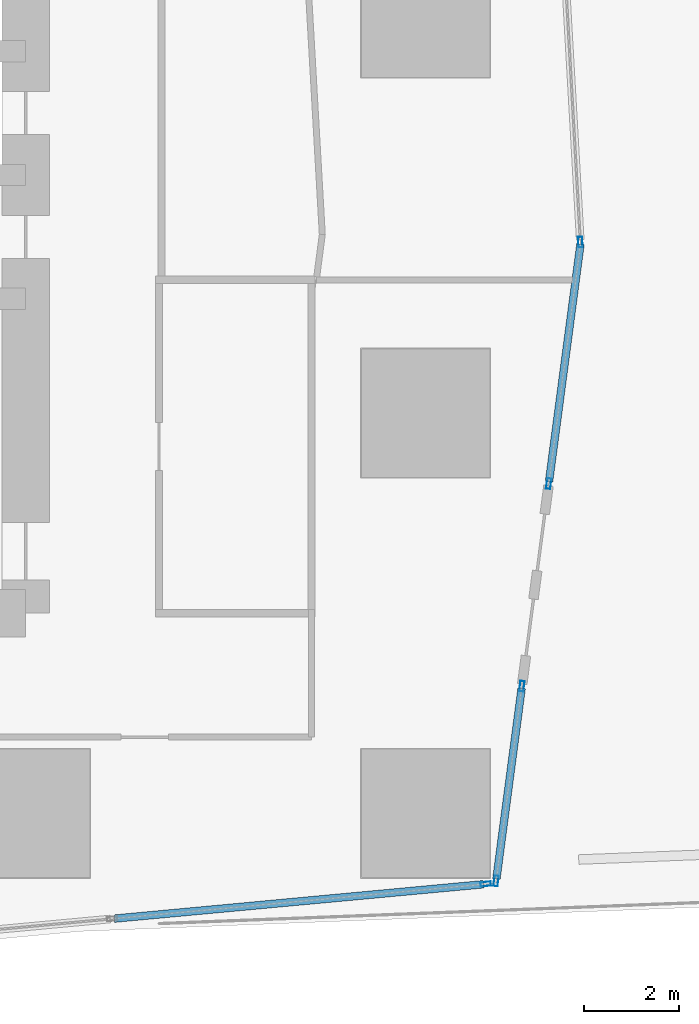
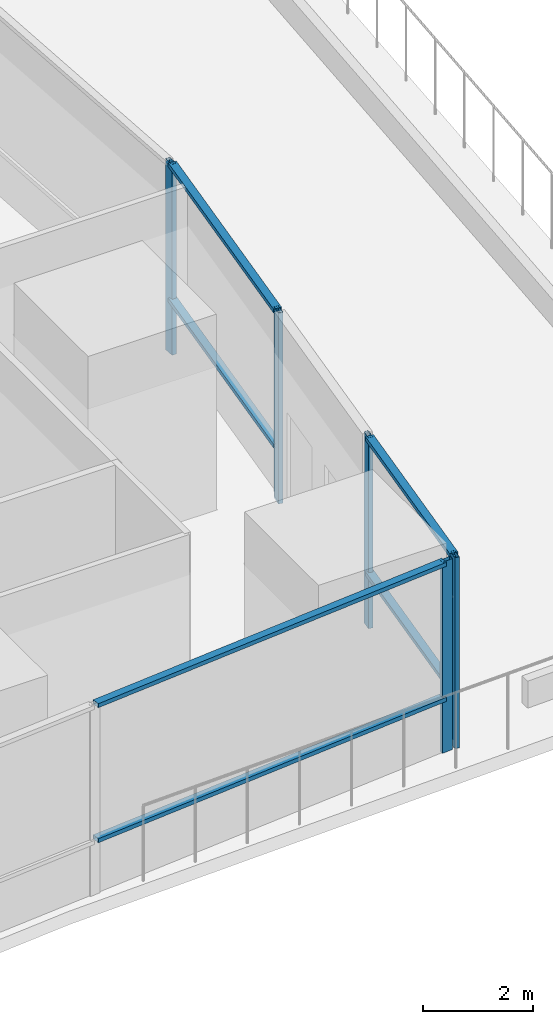
# One storey, part 6 of 39: 11 members, 4 elements without a shape of their own.
"""IFC4 building model written with IfcOpenShell, lengths in metres."""

from ifc_helpers import new_model, si_unit, direction, frame, origin, origin_2d, place, context, subcontext, project, spatial, hollow_rectangle, extrude, material, material_profile, profile_set, type_object, element, aggregate, save


model = new_model("IFC4")

# Units and contexts
model_context = context("Model", 3, precision=1e-05, world=origin(), true_north=direction((0.0, 1.0)))
body_context = subcontext(model_context, "Body", "Model", "MODEL_VIEW")
ifc_project = project(units=[si_unit("LENGTHUNIT", "METRE"), si_unit("AREAUNIT", "SQUARE_METRE"), si_unit("VOLUMEUNIT", "CUBIC_METRE"), si_unit("PLANEANGLEUNIT", "RADIAN"), si_unit("MASSUNIT", "GRAM", prefix="KILO")], contexts=[model_context])

# Site, building, storey
site_placement = place(None, origin())
site = spatial("IfcSite", under=ifc_project, at=site_placement, CompositionType="ELEMENT")
building_placement = place(site_placement, origin())
building = spatial("IfcBuilding", under=site, at=building_placement, Name="Rekha Terrace Tower", CompositionType="ELEMENT")
storey_placement = place(building_placement, frame((0.0, 0.0, 168.199951171875)))
storey = spatial("IfcBuildingStorey", under=building, at=storey_placement, Name="L42", CompositionType="ELEMENT", Elevation=168.199951171875)

# Curtain wall, member
ifc_material_1 = material(Name="Aluminium framing", Category="aluminium")
curtain_wall_type = type_object("IfcCurtainWallType", Name="CW5 sky garden glazing", PredefinedType="USERDEFINED", material=ifc_material_1)
curtain_wall_1_placement = place(storey_placement, origin())
curtain_wall_1 = element("IfcCurtainWall", 1, at=curtain_wall_1_placement, inside=storey, type_object=curtain_wall_type, Name="CW5 sky garden curtain wall", ObjectType="SKY GARDEN CURTAIN WALL", PredefinedType="USERDEFINED")
ifc_material_2 = material(Name="Aluminium mullion section", Category="aluminium")
ifc_material_profile_1 = material_profile(ifc_material_2, hollow_rectangle(XDim=0.090087890625, YDim=0.219970703125, WallThickness=0.00390625, at=origin_2d()), Name="AL RHS 90x220")
ifc_profile_set_1 = profile_set([ifc_material_profile_1], Name="Aluminium mullion section")
member_type_1 = type_object("IfcMemberType", Name="CW5 mullion RHS 90 x 220", PredefinedType="MULLION", material=ifc_profile_set_1)
member_1_placement = place(storey_placement, frame((60.059814453125, 15.314453125, 0.0), z_axis=(0.0, 0.0, 1.0), x_axis=(-0.092708869546, 0.995693258744, 0.0)))
member_1 = element("IfcMember", 2, at=member_1_placement, type_object=member_type_1, Name="CW5 mullion 3", PredefinedType="MULLION", context=body_context, shape_type="SweptSolid", body=[
    extrude(hollow_rectangle(XDim=0.090087890625, YDim=0.219970703125, WallThickness=0.00390625, at=origin_2d()), origin(), (0.0, 0.0, 1.0), 4.25),
])

# Curtain wall, members
curtain_wall_2_placement = place(storey_placement, origin())
curtain_wall_2 = element("IfcCurtainWall", 3, at=curtain_wall_2_placement, inside=storey, type_object=curtain_wall_type, Name="CW5 sky garden curtain wall", ObjectType="SKY GARDEN CURTAIN WALL", PredefinedType="USERDEFINED")
member_2_placement = place(storey_placement, frame((60.278564453125, 15.37890625, 0.0), z_axis=(0.0, 0.0, 1.0), x_axis=(-0.991342203198, 0.131303602989, 0.0)))
member_2 = element("IfcMember", 4, at=member_2_placement, type_object=member_type_1, Name="CW5 mullion 1", PredefinedType="MULLION", context=body_context, shape_type="SweptSolid", body=[
    extrude(hollow_rectangle(XDim=0.090087890625, YDim=0.219970703125, WallThickness=0.00390625, at=origin_2d()), origin(), (0.0, 0.0, 1.0), 4.25),
])
member_3_placement = place(storey_placement, frame((60.8203125, 19.468505859375, 0.0), z_axis=(0.0, 0.0, 1.0), x_axis=(-0.991342203198, 0.131303602989, 0.0)))
member_3 = element("IfcMember", 5, at=member_3_placement, type_object=member_type_1, Name="CW5 mullion 2", PredefinedType="MULLION", context=body_context, shape_type="SweptSolid", body=[
    extrude(hollow_rectangle(XDim=0.090087890625, YDim=0.219970703125, WallThickness=0.00390625, at=origin_2d()), origin(), (0.0, 0.0, 1.0), 4.25),
])

# Curtain wall, member
curtain_wall_3_placement = place(storey_placement, origin())
curtain_wall_3 = element("IfcCurtainWall", 6, at=curtain_wall_3_placement, inside=storey, type_object=curtain_wall_type, Name="CW5 sky garden curtain wall", ObjectType="SKY GARDEN CURTAIN WALL", PredefinedType="USERDEFINED")
member_4_placement = place(storey_placement, frame((61.383544921875, 23.72119140625, 0.0), z_axis=(0.0, 0.0, 1.0), x_axis=(-0.991342203189, 0.131303603058, 0.0)))
member_4 = element("IfcMember", 7, at=member_4_placement, type_object=member_type_1, Name="CW5 mullion 1", PredefinedType="MULLION", context=body_context, shape_type="SweptSolid", body=[
    extrude(hollow_rectangle(XDim=0.090087890625, YDim=0.219970703125, WallThickness=0.00390625, at=origin_2d()), origin(), (0.0, 0.0, 1.0), 4.25),
])

curtain_wall_4_placement = place(storey_placement, origin())
curtain_wall_4 = element("IfcCurtainWall", 8, at=curtain_wall_4_placement, inside=storey, type_object=curtain_wall_type, Name="CW5 sky garden curtain wall", ObjectType="SKY GARDEN CURTAIN WALL", PredefinedType="USERDEFINED")
member_5_placement = place(storey_placement, frame((62.046630859375, 28.79248046875, 0.0), z_axis=(0.0, 0.0, 1.0), x_axis=(-0.998392782918, -0.056673194877, 0.0)))
member_5 = element("IfcMember", 9, at=member_5_placement, type_object=member_type_1, Name="CW5 mullion 1", PredefinedType="MULLION", context=body_context, shape_type="SweptSolid", body=[
    extrude(hollow_rectangle(XDim=0.090087890625, YDim=0.219970703125, WallThickness=0.00390625, at=origin_2d()), origin(), (0.0, 0.0, 1.0), 4.25),
])
aggregate(curtain_wall_4, [member_5])

# Member
ifc_material_3 = material(Name="Aluminium transom section", Category="aluminium")
ifc_material_profile_2 = material_profile(ifc_material_3, hollow_rectangle(XDim=0.159912109375, YDim=0.090087890625, WallThickness=0.0029296875, at=origin_2d()), Name="AL RHS 160x90")
ifc_profile_set_2 = profile_set([ifc_material_profile_2], Name="Aluminium transom section")
member_type_2 = type_object("IfcMemberType", Name="CW5 transom RHS 90 x 160", PredefinedType="USERDEFINED", material=ifc_profile_set_2)
member_6_placement = place(storey_placement, frame((52.264404296875, 14.588623046875, 1.199951171875), z_axis=(0.995692870549, 0.092713038661, 0.0), x_axis=(-0.092713038661, 0.995692870549, 0.0)))
member_6 = element("IfcMember", 10, at=member_6_placement, type_object=member_type_2, Name="CW5 transom 2.2", ObjectType="TRANSOM", PredefinedType="USERDEFINED", context=body_context, shape_type="SweptSolid", body=[
    extrude(hollow_rectangle(XDim=0.159912109375, YDim=0.090087890625, WallThickness=0.0029296875, at=origin_2d()), origin(), (0.0, 0.0, 1.0), 7.783935546875),
])

member_7_placement = place(storey_placement, frame((52.264404296875, 14.588623046875, 4.205078125), z_axis=(0.995692870549, 0.092713038661, 0.0), x_axis=(-0.092713038661, 0.995692870549, 0.0)))
member_7 = element("IfcMember", 11, at=member_7_placement, type_object=member_type_2, Name="CW5 transom 2.3", ObjectType="TRANSOM", PredefinedType="USERDEFINED", context=body_context, shape_type="SweptSolid", body=[
    extrude(hollow_rectangle(XDim=0.159912109375, YDim=0.090087890625, WallThickness=0.0029296875, at=origin_2d()), origin(), (0.0, 0.0, 1.0), 7.783935546875),
])

aggregate(curtain_wall_1, [member_1, member_6, member_7])

member_8_placement = place(storey_placement, frame((60.284423828125, 15.423583984375, 1.199951171875), z_axis=(0.131291789814, 0.991343767786, 0.0), x_axis=(-0.991343767786, 0.131291789814, 0.0)))
member_8 = element("IfcMember", 12, at=member_8_placement, type_object=member_type_2, Name="CW5 transom 1.2", ObjectType="TRANSOM", PredefinedType="USERDEFINED", context=body_context, shape_type="SweptSolid", body=[
    extrude(hollow_rectangle(XDim=0.159912109375, YDim=0.090087890625, WallThickness=0.0029296875, at=origin_2d()), origin(), (0.0, 0.0, 1.0), 4.03515625),
])

member_9_placement = place(storey_placement, frame((60.284423828125, 15.423583984375, 4.205078125), z_axis=(0.131291789814, 0.991343767786, 0.0), x_axis=(-0.991343767786, 0.131291789814, 0.0)))
member_9 = element("IfcMember", 13, at=member_9_placement, type_object=member_type_2, Name="CW5 transom 1.3", ObjectType="TRANSOM", PredefinedType="USERDEFINED", context=body_context, shape_type="SweptSolid", body=[
    extrude(hollow_rectangle(XDim=0.159912109375, YDim=0.090087890625, WallThickness=0.0029296875, at=origin_2d()), origin(), (0.0, 0.0, 1.0), 4.03515625),
])

aggregate(curtain_wall_2, [member_2, member_3, member_8, member_9])

member_10_placement = place(storey_placement, frame((61.389404296875, 23.765869140625, 1.199951171875), z_axis=(0.131320361436, 0.991339983392, 0.0), x_axis=(-0.991339983392, 0.131320361436, 0.0)))
member_10 = element("IfcMember", 14, at=member_10_placement, type_object=member_type_2, Name="CW5 transom 1.2", ObjectType="TRANSOM", PredefinedType="USERDEFINED", context=body_context, shape_type="SweptSolid", body=[
    extrude(hollow_rectangle(XDim=0.159912109375, YDim=0.090087890625, WallThickness=0.0029296875, at=origin_2d()), origin(), (0.0, 0.0, 1.0), 5.025146484375),
])

member_11_placement = place(storey_placement, frame((61.389404296875, 23.765869140625, 4.205078125), z_axis=(0.131320361436, 0.991339983392, 0.0), x_axis=(-0.991339983392, 0.131320361436, 0.0)))
member_11 = element("IfcMember", 15, at=member_11_placement, type_object=member_type_2, Name="CW5 transom 1.3", ObjectType="TRANSOM", PredefinedType="USERDEFINED", context=body_context, shape_type="SweptSolid", body=[
    extrude(hollow_rectangle(XDim=0.159912109375, YDim=0.090087890625, WallThickness=0.0029296875, at=origin_2d()), origin(), (0.0, 0.0, 1.0), 5.025146484375),
])

aggregate(curtain_wall_3, [member_4, member_10, member_11])

save(model, "model.ifc")
